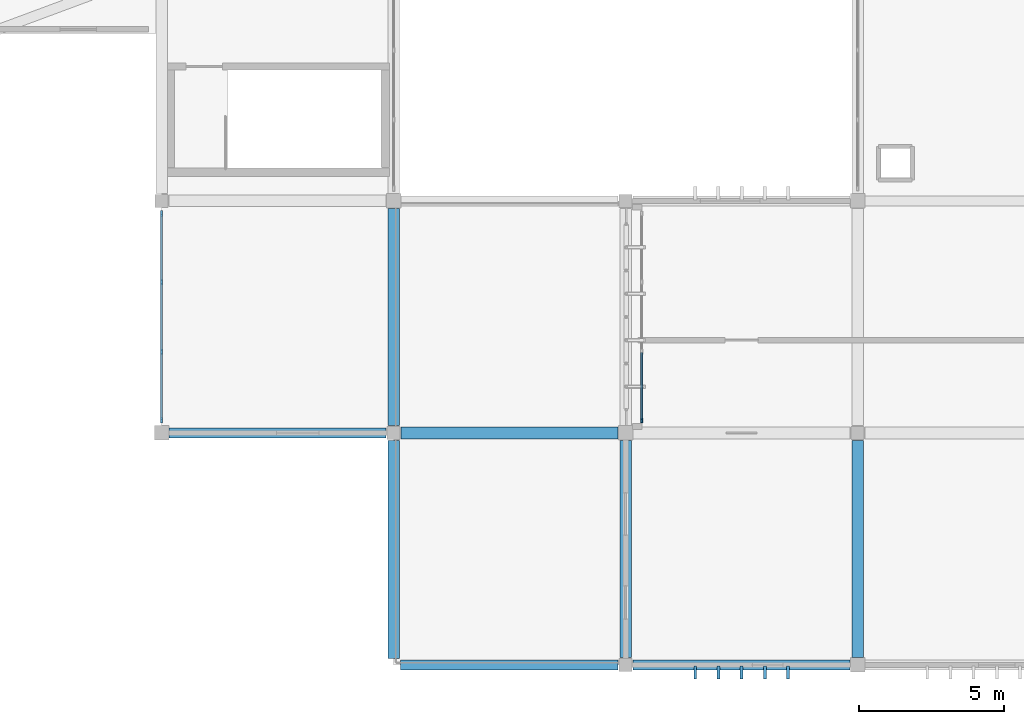
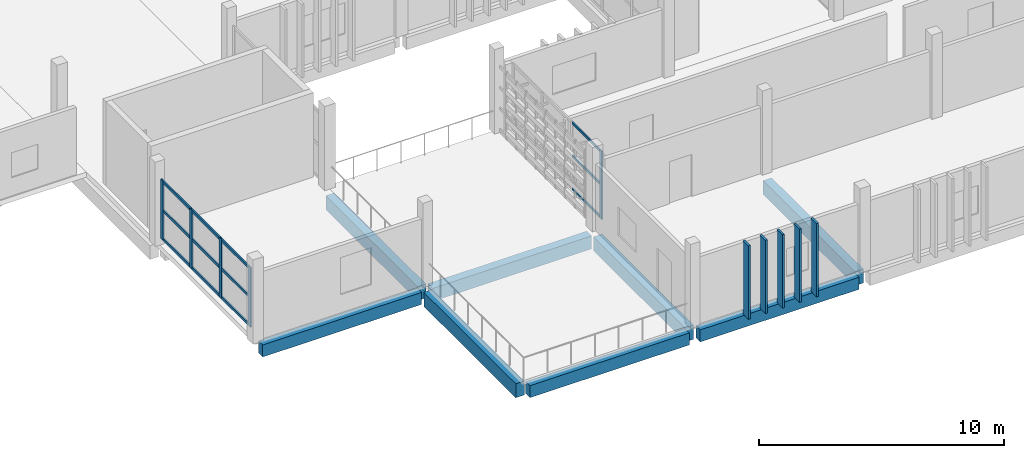
# One storey, part 8 of 63: 22 members, 8 beams, 2 elements without a shape of their own.
"""IFC4 building model written with IfcOpenShell, lengths in metres."""

from ifc_helpers import new_model, si_unit, direction, frame, origin, origin_2d, place, context, subcontext, project, spatial, rectangle, extrude, material, layer, layer_set, material_profile, profile_set, type_object, element, aggregate, save


model = new_model("IFC4")

# Units and contexts
model_context = context("Model", 3, precision=1e-05, world=origin(), true_north=direction((0.0, 1.0)))
body_context = subcontext(model_context, "Body", "Model", "MODEL_VIEW")
ifc_project = project(units=[si_unit("LENGTHUNIT", "METRE"), si_unit("AREAUNIT", "SQUARE_METRE"), si_unit("VOLUMEUNIT", "CUBIC_METRE"), si_unit("PLANEANGLEUNIT", "RADIAN"), si_unit("MASSUNIT", "GRAM", prefix="KILO")], contexts=[model_context])

# Site, building, storey
site_placement = place(None, origin())
site = spatial("IfcSite", under=ifc_project, at=site_placement, CompositionType="ELEMENT")
building_placement = place(site_placement, origin())
building = spatial("IfcBuilding", under=site, at=building_placement, Name="Jelvoka-Kovrelna Polytechnic", CompositionType="ELEMENT")
storey_placement = place(building_placement, frame((0.0, 0.0, 18.0)))
storey = spatial("IfcBuildingStorey", under=building, at=storey_placement, Name="L05", CompositionType="ELEMENT", Elevation=18.0)

# Beams
ifc_material_1 = material(Name="Concrete C40/50", Category="concrete")
ifc_material_profile_1 = material_profile(ifc_material_1, rectangle(XDim=0.39990234375, YDim=0.64990234375, at=origin_2d()), Name="RC 400x650")
ifc_profile_set_1 = profile_set([ifc_material_profile_1], Name="Concrete C40/50")
beam_type_1 = type_object("IfcBeamType", Name="Beam_RC_400x650", PredefinedType="BEAM", material=ifc_profile_set_1)
beam_1_placement = place(storey_placement, frame((56.2548828125, 16.0, -0.544921875), z_axis=(1.0, 0.0, 0.0), x_axis=(0.0, 1.0, 0.0)))
element("IfcBeam", 1, at=beam_1_placement, inside=storey, type_object=beam_type_1, Name="L05 beam 1615", PredefinedType="BEAM", context=body_context, shape_type="SweptSolid", body=[
    extrude(rectangle(XDim=0.39990234375, YDim=0.64990234375, at=origin_2d()), origin(), (0.0, 0.0, 1.0), 7.490234375),
])
ifc_material_2 = material(Name="Concrete C40/50", Category="concrete")
ifc_material_profile_2 = material_profile(ifc_material_2, rectangle(XDim=0.39990234375, YDim=0.699951171875, at=origin_2d()), Name="RC 400x700")
ifc_profile_set_2 = profile_set([ifc_material_profile_2], Name="Concrete C40/50")
beam_type_2 = type_object("IfcBeamType", Name="Beam_RC_400x700", PredefinedType="BEAM", material=ifc_profile_set_2)
for number, where, z_axis, x_axis, name in (
    (2, (64.0, 8.2548828125, -0.60009765625), (0.0, 1.0, 0.0), (-1.0, 0.0, 0.0), "L05 beam 1384"),
    (3, (72.0, 8.2548828125, -0.60009765625), (0.0, 1.0, 0.0), (-1.0, 0.0, 0.0), "L05 beam 1386"),
    (4, (56.0, 16.2548828125, -0.60009765625), (0.0, 1.0, 0.0), (-1.0, 0.0, 0.0), "L05 beam 1603"),
):
    element("IfcBeam", number, at=place(storey_placement, frame(where, z_axis=z_axis, x_axis=x_axis)), inside=storey, type_object=beam_type_2, Name=name, PredefinedType="BEAM", context=body_context, shape_type="SweptSolid", body=[
        extrude(rectangle(XDim=0.39990234375, YDim=0.699951171875, at=origin_2d()), origin(), (0.0, 0.0, 1.0), 7.490234375),
    ])
beam_2_placement = place(storey_placement, frame((56.0, 8.22998046875, -0.570068359375), z_axis=(0.0, 1.0, 0.0), x_axis=(-1.0, 0.0, 0.0)))
element("IfcBeam", 5, at=beam_2_placement, inside=storey, type_object=beam_type_2, Name="L05 beam 1617", PredefinedType="BEAM", context=body_context, shape_type="SweptSolid", body=[
    extrude(rectangle(XDim=0.39990234375, YDim=0.699951171875, at=origin_2d()), origin(), (0.0, 0.0, 1.0), 7.51513671875),
])

# Members
ifc_material_3 = material(Name="Precast concrete C40/50", Category="concrete")
ifc_material_profile_3 = material_profile(ifc_material_3, rectangle(XDim=0.10009765625, YDim=0.449951171875, at=origin_2d()), Name="PC 100x450")
ifc_profile_set_3 = profile_set([ifc_material_profile_3], Name="Precast concrete C40/50")
member_type_1 = type_object("IfcMemberType", Name="Louvre_Fin_100x450", PredefinedType="USERDEFINED", material=ifc_profile_set_3)
for number, where, z_axis, x_axis, name in (
    (6, (66.39990234375, 7.735107421875, -0.27001953125), (0.0, 0.0, 1.0), (1.0, 0.0, 0.0), "L05 B1 south vertical solar louvre fin 0456"),
    (7, (67.199951171875, 7.735107421875, -0.27001953125), (0.0, 0.0, 1.0), (1.0, 0.0, 0.0), "L05 B1 south vertical solar louvre fin 0457"),
    (8, (68.0, 7.735107421875, -0.27001953125), (0.0, 0.0, 1.0), (1.0, 0.0, 0.0), "L05 B1 south vertical solar louvre fin 0458"),
    (9, (68.800048828125, 7.735107421875, -0.27001953125), (0.0, 0.0, 1.0), (1.0, 0.0, 0.0), "L05 B1 south vertical solar louvre fin 0459"),
    (10, (69.60009765625, 7.735107421875, -0.27001953125), (0.0, 0.0, 1.0), (1.0, 0.0, 0.0), "L05 B1 south vertical solar louvre fin 0460"),
):
    element("IfcMember", number, at=place(storey_placement, frame(where, z_axis=z_axis, x_axis=x_axis)), inside=storey, type_object=member_type_1, Name=name, ObjectType="SUNSHADE", PredefinedType="USERDEFINED", context=body_context, shape_type="SweptSolid", body=[
        extrude(rectangle(XDim=0.10009765625, YDim=0.449951171875, at=origin_2d()), origin(), (0.0, 0.0, 1.0), 3.655029296875),
    ])

# Curtain wall, member
ifc_material_4 = material(Name="Anodised aluminium 6063-T6", Category="aluminium")
ifc_layer_1 = layer(ifc_material_4, 0.159912109375)
ifc_layer_set_1 = layer_set([ifc_layer_1], Name="Anodised aluminium 6063-T6")
curtain_wall_type_1 = type_object("IfcCurtainWallType", Name="CW_Recessed_A", PredefinedType="NOTDEFINED", material=ifc_layer_set_1)
curtain_wall_1_placement = place(storey_placement, origin())
curtain_wall_1 = element("IfcCurtainWall", 11, at=curtain_wall_1_placement, inside=storey, type_object=curtain_wall_type_1, Name="L05 glazed curtain wall 007", PredefinedType="NOTDEFINED")
ifc_material_5 = material(Name="Anodised aluminium 6063-T6", Category="aluminium")
ifc_material_profile_4 = material_profile(ifc_material_5, rectangle(XDim=0.06005859375, YDim=0.159912109375, at=origin_2d()), Name="ALU 60x160")
ifc_profile_set_4 = profile_set([ifc_material_profile_4], Name="Anodised aluminium 6063-T6")
member_type_2 = type_object("IfcMemberType", Name="Mullion_M-01", PredefinedType="MULLION", material=ifc_profile_set_4)
member_1_placement = place(storey_placement, frame((64.56005859375, 16.429931640625, -0.02490234375), z_axis=(0.0, 0.0, 1.0), x_axis=(-1.0, 0.0, 0.0)))
member_1 = element("IfcMember", 12, at=member_1_placement, type_object=member_type_2, Name="CW-01 mullion 1", PredefinedType="MULLION", context=body_context, shape_type="SweptSolid", body=[
    extrude(rectangle(XDim=0.06005859375, YDim=0.159912109375, at=origin_2d()), origin(), (0.0, 0.0, 1.0), 3.400146484375),
])

# Curtain wall, members
ifc_material_6 = material(Name="Anodised aluminium 6063-T6", Category="aluminium")
ifc_layer_2 = layer(ifc_material_6, 0.199951171875)
ifc_layer_set_2 = layer_set([ifc_layer_2], Name="Anodised aluminium 6063-T6")
curtain_wall_type_2 = type_object("IfcCurtainWallType", Name="CW_Clerestory", PredefinedType="NOTDEFINED", material=ifc_layer_set_2)
curtain_wall_2_placement = place(storey_placement, origin())
curtain_wall_2 = element("IfcCurtainWall", 13, at=curtain_wall_2_placement, inside=storey, type_object=curtain_wall_type_2, Name="L05 glazed curtain wall 156", PredefinedType="NOTDEFINED")
ifc_material_7 = material(Name="Anodised aluminium 6063-T6", Category="aluminium")
ifc_material_profile_5 = material_profile(ifc_material_7, rectangle(XDim=0.070068359375, YDim=0.199951171875, at=origin_2d()), Name="ALU 70x200")
ifc_profile_set_5 = profile_set([ifc_material_profile_5], Name="Anodised aluminium 6063-T6")
member_type_3 = type_object("IfcMemberType", Name="Mullion_M-03", PredefinedType="MULLION", material=ifc_profile_set_5)
member_2_placement = place(storey_placement, frame((48.0, 16.43505859375, 0.4150390625), z_axis=(0.0, 0.0, 1.0), x_axis=(-1.0, 0.0, 0.0)))
member_2 = element("IfcMember", 14, at=member_2_placement, type_object=member_type_3, Name="CW-03 mullion 1", PredefinedType="MULLION", context=body_context, shape_type="SweptSolid", body=[
    extrude(rectangle(XDim=0.070068359375, YDim=0.199951171875, at=origin_2d()), origin(), (0.0, 0.0, 1.0), 2.960205078125),
])
member_3_placement = place(storey_placement, frame((48.0, 18.800048828125, 0.4150390625), z_axis=(0.0, 0.0, 1.0), x_axis=(-1.0, 0.0, 0.0)))
member_3 = element("IfcMember", 15, at=member_3_placement, type_object=member_type_3, Name="CW-03 mullion 2", PredefinedType="MULLION", context=body_context, shape_type="SweptSolid", body=[
    extrude(rectangle(XDim=0.070068359375, YDim=0.199951171875, at=origin_2d()), origin(), (0.0, 0.0, 1.0), 2.960205078125),
])
member_4_placement = place(storey_placement, frame((48.0, 21.199951171875, 0.4150390625), z_axis=(0.0, 0.0, 1.0), x_axis=(-1.0, 0.0, 0.0)))
member_4 = element("IfcMember", 16, at=member_4_placement, type_object=member_type_3, Name="CW-03 mullion 3", PredefinedType="MULLION", context=body_context, shape_type="SweptSolid", body=[
    extrude(rectangle(XDim=0.070068359375, YDim=0.199951171875, at=origin_2d()), origin(), (0.0, 0.0, 1.0), 2.960205078125),
])
member_5_placement = place(storey_placement, frame((48.0, 23.56494140625, 0.4150390625), z_axis=(0.0, 0.0, 1.0), x_axis=(-1.0, 0.0, 0.0)))
member_5 = element("IfcMember", 17, at=member_5_placement, type_object=member_type_3, Name="CW-03 mullion 4", PredefinedType="MULLION", context=body_context, shape_type="SweptSolid", body=[
    extrude(rectangle(XDim=0.070068359375, YDim=0.199951171875, at=origin_2d()), origin(), (0.0, 0.0, 1.0), 2.960205078125),
])

# Beams
ifc_material_8 = material(Name="Concrete C40/50", Category="concrete")
ifc_material_profile_6 = material_profile(ifc_material_8, rectangle(XDim=0.35009765625, YDim=0.60009765625, at=origin_2d()), Name="RC 350x600")
ifc_profile_set_6 = profile_set([ifc_material_profile_6], Name="Concrete C40/50")
beam_type_3 = type_object("IfcBeamType", Name="Spandrel_RC_350x600", PredefinedType="SPANDREL", material=ifc_profile_set_6)
for number, where, z_axis, x_axis, name in (
    (18, (64.2548828125, 8.0, -0.550048828125), (1.0, 0.0, 0.0), (0.0, 1.0, 0.0), "L05 beam 1367"),
    (19, (48.2548828125, 16.0, -0.550048828125), (1.0, 0.0, 0.0), (0.0, 1.0, 0.0), "L05 beam 1589"),
):
    element("IfcBeam", number, at=place(storey_placement, frame(where, z_axis=z_axis, x_axis=x_axis)), inside=storey, type_object=beam_type_3, Name=name, PredefinedType="SPANDREL", context=body_context, shape_type="SweptSolid", body=[
        extrude(rectangle(XDim=0.35009765625, YDim=0.60009765625, at=origin_2d()), origin(), (0.0, 0.0, 1.0), 7.490234375),
    ])
beam_3_placement = place(storey_placement, frame((56.22998046875, 8.0, -0.52001953125), z_axis=(1.0, 0.0, 0.0), x_axis=(0.0, 1.0, 0.0)))
element("IfcBeam", 20, at=beam_3_placement, inside=storey, type_object=beam_type_3, Name="L05 beam 1614", PredefinedType="SPANDREL", context=body_context, shape_type="SweptSolid", body=[
    extrude(rectangle(XDim=0.35009765625, YDim=0.60009765625, at=origin_2d()), origin(), (0.0, 0.0, 1.0), 7.51513671875),
])

# Member
ifc_material_9 = material(Name="Anodised aluminium 6063-T6", Category="aluminium")
ifc_material_profile_7 = material_profile(ifc_material_9, rectangle(XDim=0.06005859375, YDim=0.1201171875, at=origin_2d()), Name="ALU 60x120")
ifc_profile_set_7 = profile_set([ifc_material_profile_7], Name="Anodised aluminium 6063-T6")
member_type_4 = type_object("IfcMemberType", Name="Transom_T-01", PredefinedType="USERDEFINED", material=ifc_profile_set_7)
member_6_placement = place(storey_placement, frame((64.56005859375, 16.4599609375, 0.030029296875), z_axis=(0.0, 1.0, 0.0), x_axis=(-1.0, 0.0, 0.0)))
member_6 = element("IfcMember", 21, at=member_6_placement, type_object=member_type_4, Name="CW-01 transom 1.1", ObjectType="TRANSOM", PredefinedType="USERDEFINED", context=body_context, shape_type="SweptSolid", body=[
    extrude(rectangle(XDim=0.06005859375, YDim=0.1201171875, at=origin_2d()), origin(), (0.0, 0.0, 1.0), 2.31005859375),
])

member_7_placement = place(storey_placement, frame((64.56005859375, 16.4599609375, 1.675048828125), z_axis=(0.0, 1.0, 0.0), x_axis=(-1.0, 0.0, 0.0)))
member_7 = element("IfcMember", 22, at=member_7_placement, type_object=member_type_4, Name="CW-01 transom 1.2", ObjectType="TRANSOM", PredefinedType="USERDEFINED", context=body_context, shape_type="SweptSolid", body=[
    extrude(rectangle(XDim=0.06005859375, YDim=0.1201171875, at=origin_2d()), origin(), (0.0, 0.0, 1.0), 2.31005859375),
])

member_8_placement = place(storey_placement, frame((64.56005859375, 16.4599609375, 3.320068359375), z_axis=(0.0, 1.0, 0.0), x_axis=(-1.0, 0.0, 0.0)))
member_8 = element("IfcMember", 23, at=member_8_placement, type_object=member_type_4, Name="CW-01 transom 1.3", ObjectType="TRANSOM", PredefinedType="USERDEFINED", context=body_context, shape_type="SweptSolid", body=[
    extrude(rectangle(XDim=0.06005859375, YDim=0.1201171875, at=origin_2d()), origin(), (0.0, 0.0, 1.0), 2.31005859375),
])

aggregate(curtain_wall_1, [member_1, member_6, member_7, member_8])

ifc_material_10 = material(Name="Anodised aluminium 6063-T6", Category="aluminium")
ifc_material_profile_8 = material_profile(ifc_material_10, rectangle(XDim=0.070068359375, YDim=0.14501953125, at=origin_2d()), Name="ALU 70x145")
ifc_profile_set_8 = profile_set([ifc_material_profile_8], Name="Anodised aluminium 6063-T6")
member_type_5 = type_object("IfcMemberType", Name="Transom_T-03", PredefinedType="USERDEFINED", material=ifc_profile_set_8)
member_9_placement = place(storey_placement, frame((48.0, 16.469970703125, 0.47509765625), z_axis=(0.0, 1.0, 0.0), x_axis=(-1.0, 0.0, 0.0)))
member_9 = element("IfcMember", 24, at=member_9_placement, type_object=member_type_5, Name="CW-03 transom 1.1", ObjectType="TRANSOM", PredefinedType="USERDEFINED", context=body_context, shape_type="SweptSolid", body=[
    extrude(rectangle(XDim=0.070068359375, YDim=0.14501953125, at=origin_2d()), origin(), (0.0, 0.0, 1.0), 2.294921875),
])

member_10_placement = place(storey_placement, frame((48.0, 16.469970703125, 1.89501953125), z_axis=(0.0, 1.0, 0.0), x_axis=(-1.0, 0.0, 0.0)))
member_10 = element("IfcMember", 25, at=member_10_placement, type_object=member_type_5, Name="CW-03 transom 1.2", ObjectType="TRANSOM", PredefinedType="USERDEFINED", context=body_context, shape_type="SweptSolid", body=[
    extrude(rectangle(XDim=0.070068359375, YDim=0.14501953125, at=origin_2d()), origin(), (0.0, 0.0, 1.0), 2.294921875),
])

member_11_placement = place(storey_placement, frame((48.0, 16.469970703125, 3.31494140625), z_axis=(0.0, 1.0, 0.0), x_axis=(-1.0, 0.0, 0.0)))
member_11 = element("IfcMember", 26, at=member_11_placement, type_object=member_type_5, Name="CW-03 transom 1.3", ObjectType="TRANSOM", PredefinedType="USERDEFINED", context=body_context, shape_type="SweptSolid", body=[
    extrude(rectangle(XDim=0.070068359375, YDim=0.14501953125, at=origin_2d()), origin(), (0.0, 0.0, 1.0), 2.294921875),
])

member_12_placement = place(storey_placement, frame((48.0, 18.8349609375, 0.47509765625), z_axis=(0.0, 1.0, 0.0), x_axis=(-1.0, 0.0, 0.0)))
member_12 = element("IfcMember", 27, at=member_12_placement, type_object=member_type_5, Name="CW-03 transom 2.1", ObjectType="TRANSOM", PredefinedType="USERDEFINED", context=body_context, shape_type="SweptSolid", body=[
    extrude(rectangle(XDim=0.070068359375, YDim=0.14501953125, at=origin_2d()), origin(), (0.0, 0.0, 1.0), 2.330078125),
])

member_13_placement = place(storey_placement, frame((48.0, 18.8349609375, 1.89501953125), z_axis=(0.0, 1.0, 0.0), x_axis=(-1.0, 0.0, 0.0)))
member_13 = element("IfcMember", 28, at=member_13_placement, type_object=member_type_5, Name="CW-03 transom 2.2", ObjectType="TRANSOM", PredefinedType="USERDEFINED", context=body_context, shape_type="SweptSolid", body=[
    extrude(rectangle(XDim=0.070068359375, YDim=0.14501953125, at=origin_2d()), origin(), (0.0, 0.0, 1.0), 2.330078125),
])

member_14_placement = place(storey_placement, frame((48.0, 18.8349609375, 3.31494140625), z_axis=(0.0, 1.0, 0.0), x_axis=(-1.0, 0.0, 0.0)))
member_14 = element("IfcMember", 29, at=member_14_placement, type_object=member_type_5, Name="CW-03 transom 2.3", ObjectType="TRANSOM", PredefinedType="USERDEFINED", context=body_context, shape_type="SweptSolid", body=[
    extrude(rectangle(XDim=0.070068359375, YDim=0.14501953125, at=origin_2d()), origin(), (0.0, 0.0, 1.0), 2.330078125),
])

member_15_placement = place(storey_placement, frame((48.0, 21.235107421875, 0.47509765625), z_axis=(0.0, 1.0, 0.0), x_axis=(-1.0, 0.0, 0.0)))
member_15 = element("IfcMember", 30, at=member_15_placement, type_object=member_type_5, Name="CW-03 transom 3.1", ObjectType="TRANSOM", PredefinedType="USERDEFINED", context=body_context, shape_type="SweptSolid", body=[
    extrude(rectangle(XDim=0.070068359375, YDim=0.14501953125, at=origin_2d()), origin(), (0.0, 0.0, 1.0), 2.294921875),
])

member_16_placement = place(storey_placement, frame((48.0, 21.235107421875, 1.89501953125), z_axis=(0.0, 1.0, 0.0), x_axis=(-1.0, 0.0, 0.0)))
member_16 = element("IfcMember", 31, at=member_16_placement, type_object=member_type_5, Name="CW-03 transom 3.2", ObjectType="TRANSOM", PredefinedType="USERDEFINED", context=body_context, shape_type="SweptSolid", body=[
    extrude(rectangle(XDim=0.070068359375, YDim=0.14501953125, at=origin_2d()), origin(), (0.0, 0.0, 1.0), 2.294921875),
])

member_17_placement = place(storey_placement, frame((48.0, 21.235107421875, 3.31494140625), z_axis=(0.0, 1.0, 0.0), x_axis=(-1.0, 0.0, 0.0)))
member_17 = element("IfcMember", 32, at=member_17_placement, type_object=member_type_5, Name="CW-03 transom 3.3", ObjectType="TRANSOM", PredefinedType="USERDEFINED", context=body_context, shape_type="SweptSolid", body=[
    extrude(rectangle(XDim=0.070068359375, YDim=0.14501953125, at=origin_2d()), origin(), (0.0, 0.0, 1.0), 2.294921875),
])

aggregate(curtain_wall_2, [member_2, member_3, member_4, member_5, member_9, member_10, member_11, member_12, member_13, member_14, member_15, member_16, member_17])

save(model, "model.ifc")
